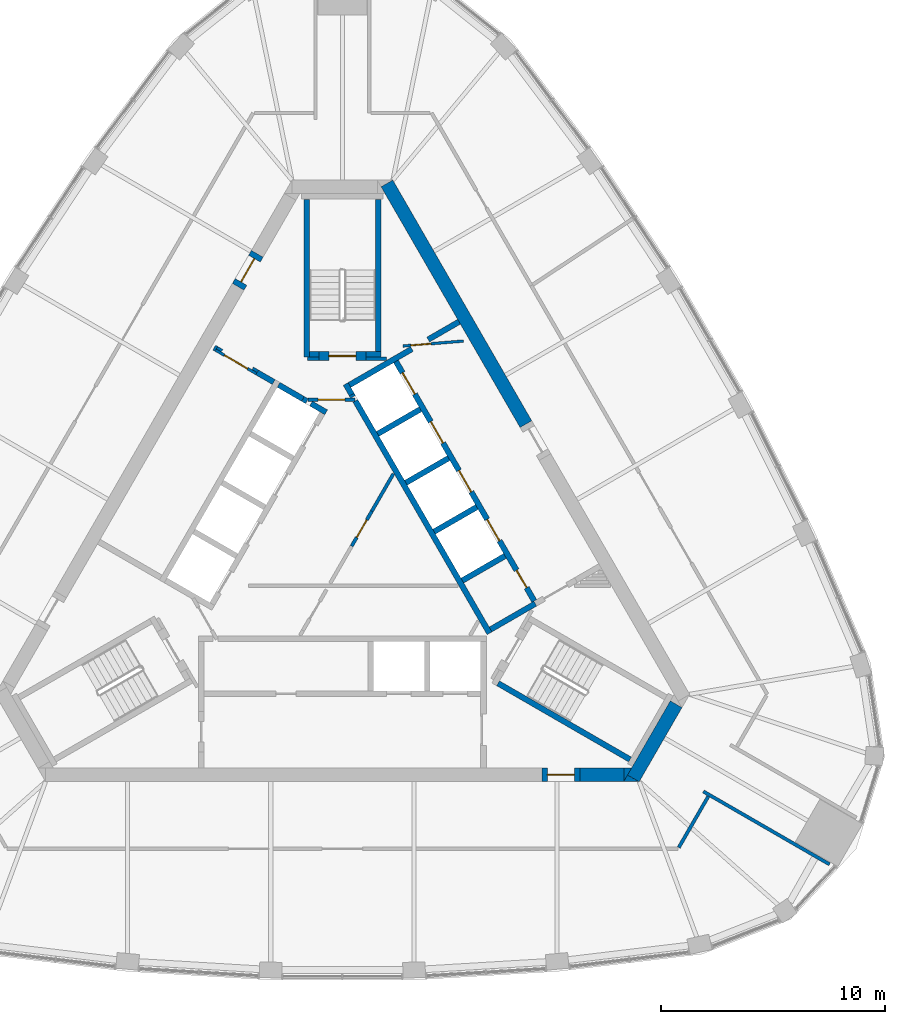
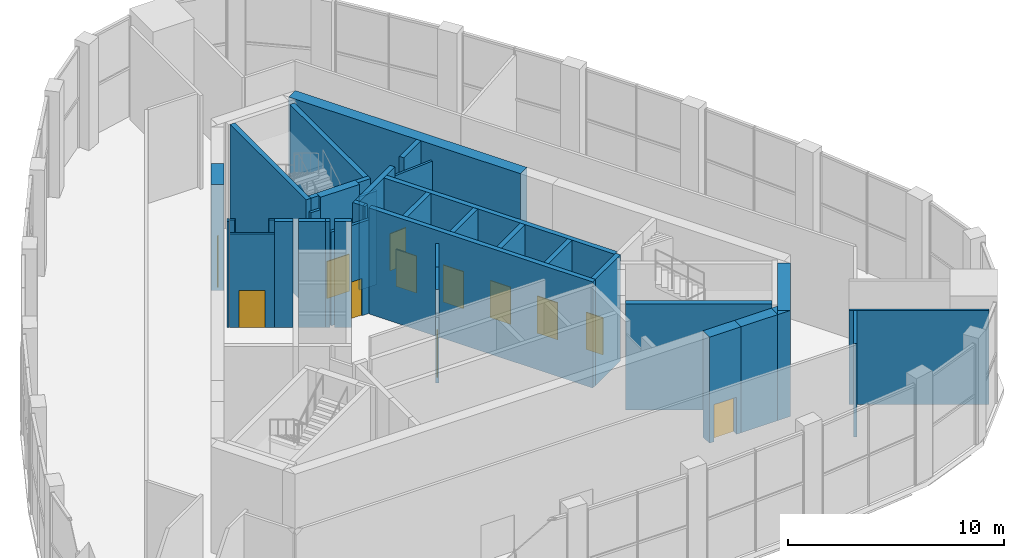
# One storey, part 11 of 15: 40 walls, 12 doors, 12 openings.
"""IFC4 building model written with IfcOpenShell, lengths in metres."""

from ifc_helpers import new_model, si_unit, direction, frame, frame_2d, origin, place, context, subcontext, project, spatial, polyline, rectangle, outline, extrude, material, layer, layer_set, type_object, element, fill, save


model = new_model("IFC4")

# Units and contexts
model_context = context("Model", 3, precision=1e-05, world=origin(), true_north=direction((0.0, 1.0)))
body_context = subcontext(model_context, "Body", "Model", "MODEL_VIEW")
ifc_project = project(units=[si_unit("LENGTHUNIT", "METRE"), si_unit("AREAUNIT", "SQUARE_METRE"), si_unit("VOLUMEUNIT", "CUBIC_METRE"), si_unit("PLANEANGLEUNIT", "RADIAN"), si_unit("MASSUNIT", "GRAM", prefix="KILO")], contexts=[model_context])

# Site, building, storey
site_placement = place(None, origin())
site = spatial("IfcSite", under=ifc_project, at=site_placement, CompositionType="ELEMENT")
building_placement = place(site_placement, origin())
building = spatial("IfcBuilding", under=site, at=building_placement, Name="Mestral Congress Tower", CompositionType="ELEMENT")
storey_placement = place(building_placement, frame((0.0, 0.0, 321.60009765625)))
storey = spatial("IfcBuildingStorey", under=building, at=storey_placement, Name="L75", CompositionType="ELEMENT", Elevation=321.60009765625)

# Walls
ifc_material_1 = material(Name="Fire-rated board partition")
ifc_layer_1 = layer(ifc_material_1, 0.14990234375)
ifc_layer_set_1 = layer_set([ifc_layer_1], Name="Fire-rated board partition")
wall_type_1 = type_object("IfcWallType", Name="Core partition 150", PredefinedType="PARTITIONING", material=ifc_layer_set_1)
wall_1_placement = place(storey_placement, frame((1.050048828125, 8.62548828125, 0.0), z_axis=(0.0, 0.0, 1.0), x_axis=(1.0, 0.0, 0.0)))
element("IfcWall", 1, at=wall_1_placement, inside=storey, type_object=wall_type_1, Name="L75 core wall", PredefinedType="PARTITIONING", context=body_context, shape_type="SweptSolid", body=[
    extrude(rectangle(XDim=0.9287109375, YDim=0.14990234375, at=frame_2d((0.46435546875, 0.0))), origin(), (0.0, 0.0, 1.0), 5.2998046875),
])
wall_2_placement = place(storey_placement, frame((-1.56396484375, 8.62548828125, 0.0), z_axis=(0.0, 0.0, 1.0), x_axis=(1.0, 0.0, 0.0)))
element("IfcWall", 2, at=wall_2_placement, inside=storey, type_object=wall_type_1, Name="L75 core wall", PredefinedType="PARTITIONING", context=body_context, shape_type="SweptSolid", body=[
    extrude(rectangle(XDim=0.513916015625, YDim=0.14990234375, at=frame_2d((0.2568359375, 0.0))), origin(), (0.0, 0.0, 1.0), 5.2998046875),
])
wall_3_placement = place(storey_placement, frame((1.311767578125, 1.822021484375, 0.0), z_axis=(0.0, 0.0, 1.0), x_axis=(0.500003549559, 0.866023354436, 0.0)))
element("IfcWall", 3, at=wall_3_placement, inside=storey, type_object=wall_type_1, Name="L75 core wall", PredefinedType="PARTITIONING", context=body_context, shape_type="SweptSolid", body=[
    extrude(rectangle(XDim=1.9296875, YDim=0.14990234375, at=frame_2d((0.96484375, 0.0))), origin(), (0.0, 0.0, 1.0), 5.2998046875),
])

# Wall, opening, door
wall_4_placement = place(storey_placement, frame((-1.534423828125, 6.800048828125, 0.0), z_axis=(0.0, 0.0, 1.0), x_axis=(1.0, 0.0, 0.0)))
wall_4 = element("IfcWall", 4, at=wall_4_placement, inside=storey, type_object=wall_type_1, Name="L75 door wall", PredefinedType="PARTITIONING", context=body_context, shape_type="SweptSolid", body=[
    extrude(rectangle(XDim=2.099853515625, YDim=0.14990234375, at=frame_2d((1.0498046875, 0.0))), origin(), (0.0, 0.0, 1.0), 5.2998046875),
])
opening_1_placement = place(wall_4_placement, frame((0.449951171875, 0.0, 0.0)))
opening_1 = element("IfcOpeningElement", 5, at=opening_1_placement, cuts=wall_4, Name="Opening CD2-FF", PredefinedType="OPENING", context=body_context, shape_type="SweptSolid", body=[
    extrude(rectangle(XDim=1.199951171875, YDim=2.10009765625, at=frame_2d((0.60009765625, 1.050048828125))), frame((0.0, 0.0849609375, 0.0), z_axis=(0.0, -1.0, 0.0), x_axis=(1.0, 0.0, 0.0)), (0.0, 0.0, 1.0), 0.169921875),
])
ifc_material_2 = material(Name="Fire-rated steel door set", Category="steel")
door_type_1 = type_object("IfcDoorType", Name="Core door CD 1200x2100", OperationType="SINGLE_SWING_LEFT", PredefinedType="DOOR", material=ifc_material_2)
door_1_placement = place(opening_1_placement, origin())
door_1 = element("IfcDoor", 6, at=door_1_placement, inside=storey, type_object=door_type_1, Name="Door CD2-FF", OperationType="SINGLE_SWING_LEFT", OverallHeight=2.10009765625, OverallWidth=1.199951171875, PredefinedType="DOOR", context=body_context, shape_type="SweptSolid", body=[
    extrude(rectangle(XDim=1.199951171875, YDim=2.10009765625, at=frame_2d((0.60009765625, 1.050048828125))), frame((0.0, 0.02490234375, 0.0), z_axis=(0.0, -1.0, 0.0), x_axis=(1.0, 0.0, 0.0)), (0.0, 0.0, 1.0), 0.050048828125),
])
fill(opening_1, door_1)

wall_5_placement = place(storey_placement, frame((0.41162109375, 0.26318359375, 0.0), z_axis=(0.0, 0.0, 1.0), x_axis=(0.500062916607, 0.865989075817, 0.0)))
wall_5 = element("IfcWall", 7, at=wall_5_placement, inside=storey, type_object=wall_type_1, Name="L75 door wall", PredefinedType="PARTITIONING", context=body_context, shape_type="SweptSolid", body=[
    extrude(rectangle(XDim=1.800048828125, YDim=0.14990234375, at=frame_2d((0.89990234375, 0.0))), origin(), (0.0, 0.0, 1.0), 5.2998046875),
])
opening_2_placement = place(wall_5_placement, frame((0.449951171875, 0.0, 0.0)))
opening_2 = element("IfcOpeningElement", 8, at=opening_2_placement, cuts=wall_5, Name="Opening SD-HUB1", PredefinedType="OPENING", context=body_context, shape_type="SweptSolid", body=[
    extrude(rectangle(XDim=0.89990234375, YDim=2.10009765625, at=frame_2d((0.449951171875, 1.050048828125))), frame((0.0, 0.0849609375, 0.0), z_axis=(0.0, -1.0, 0.0), x_axis=(1.0, 0.0, 0.0)), (0.0, 0.0, 1.0), 0.169921875),
])
door_type_2 = type_object("IfcDoorType", Name="Core door SR 900x2100", OperationType="SINGLE_SWING_LEFT", PredefinedType="DOOR", material=ifc_material_2)
door_2_placement = place(opening_2_placement, origin())
door_2 = element("IfcDoor", 9, at=door_2_placement, inside=storey, type_object=door_type_2, Name="Door SD-HUB1", OperationType="SINGLE_SWING_LEFT", OverallHeight=2.10009765625, OverallWidth=0.89990234375, PredefinedType="DOOR", context=body_context, shape_type="SweptSolid", body=[
    extrude(rectangle(XDim=0.89990234375, YDim=2.10009765625, at=frame_2d((0.449951171875, 1.050048828125))), frame((0.0, 0.02490234375, 0.0), z_axis=(0.0, -1.0, 0.0), x_axis=(1.0, 0.0, 0.0)), (0.0, 0.0, 1.0), 0.050048828125),
])
fill(opening_2, door_2)

ifc_layer_2 = layer(ifc_material_1, 0.1201171875)
ifc_layer_set_2 = layer_set([ifc_layer_2], Name="Fire-rated board partition")
wall_type_2 = type_object("IfcWallType", Name="Core partition 150 door-wall 120", PredefinedType="PARTITIONING", material=ifc_layer_set_2)
wall_6_placement = place(storey_placement, frame((5.3984375, 9.418701171875, 0.0), z_axis=(0.0, 0.0, 1.0), x_axis=(-0.996653416376, -0.081743303248, 0.0)))
wall_6 = element("IfcWall", 10, at=wall_6_placement, inside=storey, type_object=wall_type_2, Name="L75 door wall", PredefinedType="PARTITIONING", context=body_context, shape_type="SweptSolid", body=[
    extrude(rectangle(XDim=2.699951171875, YDim=0.119873046875, at=frame_2d((1.35009765625, 0.0))), origin(), (0.0, 0.0, 1.0), 5.2998046875),
])
opening_3_placement = place(wall_6_placement, frame((1.449951171875, 0.0, 0.0)))
opening_3 = element("IfcOpeningElement", 11, at=opening_3_placement, cuts=wall_6, Name="Opening TD2", PredefinedType="OPENING", context=body_context, shape_type="SweptSolid", body=[
    extrude(rectangle(XDim=0.89990234375, YDim=2.10009765625, at=frame_2d((0.449951171875, 1.050048828125))), frame((0.0, 0.06982421875, 0.0), z_axis=(0.0, -1.0, 0.0), x_axis=(1.0, 0.0, 0.0)), (0.0, 0.0, 1.0), 0.139892578125),
])
door_3_placement = place(opening_3_placement, origin())
door_3 = element("IfcDoor", 12, at=door_3_placement, inside=storey, type_object=door_type_2, Name="Door TD2", OperationType="SINGLE_SWING_LEFT", OverallHeight=2.10009765625, OverallWidth=0.89990234375, PredefinedType="DOOR", context=body_context, shape_type="SweptSolid", body=[
    extrude(rectangle(XDim=0.89990234375, YDim=2.10009765625, at=frame_2d((0.449951171875, 1.050048828125))), frame((0.0, 0.02490234375, 0.0), z_axis=(0.0, -1.0, 0.0), x_axis=(1.0, 0.0, 0.0)), (0.0, 0.0, 1.0), 0.050048828125),
])
fill(opening_3, door_3)

wall_7_placement = place(storey_placement, frame((-5.65869140625, 9.01171875, 0.0), z_axis=(0.0, 0.0, 1.0), x_axis=(0.866009402589, -0.500027713859, 0.0)))
wall_7 = element("IfcWall", 13, at=wall_7_placement, inside=storey, type_object=wall_type_2, Name="L75 door wall", PredefinedType="PARTITIONING", context=body_context, shape_type="SweptSolid", body=[
    extrude(rectangle(XDim=2.10009765625, YDim=0.1201171875, at=frame_2d((1.050048828125, 0.0))), origin(), (0.0, 0.0, 1.0), 5.2998046875),
])
opening_4_placement = place(wall_7_placement, frame((0.449951171875, 0.0, 0.0)))
opening_4 = element("IfcOpeningElement", 14, at=opening_4_placement, cuts=wall_7, Name="Opening LB2-WL2", PredefinedType="OPENING", context=body_context, shape_type="SweptSolid", body=[
    extrude(rectangle(XDim=1.199951171875, YDim=2.10009765625, at=frame_2d((0.60009765625, 1.050048828125))), frame((0.0, 0.070068359375, 0.0), z_axis=(0.0, -1.0, 0.0), x_axis=(1.0, 0.0, 0.0)), (0.0, 0.0, 1.0), 0.14013671875),
])
door_type_3 = type_object("IfcDoorType", Name="Core door LB 1200x2100", OperationType="SINGLE_SWING_LEFT", PredefinedType="DOOR", material=ifc_material_2)
door_4_placement = place(opening_4_placement, origin())
door_4 = element("IfcDoor", 15, at=door_4_placement, inside=storey, type_object=door_type_3, Name="Door LB2-WL2", OperationType="SINGLE_SWING_LEFT", OverallHeight=2.10009765625, OverallWidth=1.199951171875, PredefinedType="DOOR", context=body_context, shape_type="SweptSolid", body=[
    extrude(rectangle(XDim=1.199951171875, YDim=2.10009765625, at=frame_2d((0.60009765625, 1.050048828125))), frame((0.0, 0.02490234375, 0.0), z_axis=(0.0, -1.0, 0.0), x_axis=(1.0, 0.0, 0.0)), (0.0, 0.0, 1.0), 0.050048828125),
])
fill(opening_4, door_4)

# Walls
ifc_material_3 = material(Name="Concrete C60/75", Category="concrete")
ifc_layer_3 = layer(ifc_material_3, 0.60009765625)
ifc_layer_set_3 = layer_set([ifc_layer_3], Name="Concrete C60/75")
wall_type_3 = type_object("IfcWallType", Name="Core wall RC 600", PredefinedType="SOLIDWALL", material=ifc_layer_set_3)
wall_8_placement = place(storey_placement, frame((12.9873046875, -10.105712890625, 0.0), z_axis=(0.0, 0.0, 1.0), x_axis=(0.499950938802, 0.866053727428, 0.0)))
element("IfcWall", 16, at=wall_8_placement, inside=storey, type_object=wall_type_3, Name="L75 core wall", PredefinedType="SOLIDWALL", context=body_context, shape_type="SweptSolid", body=[
    extrude(rectangle(XDim=3.8232421875, YDim=0.60009765625, at=frame_2d((1.91162109375, 0.0))), origin(), (0.0, 0.0, 1.0), 6.0),
])
placement = place(storey_placement, origin())
element("IfcWall", 17, at=placement, inside=storey, type_object=wall_type_3, Name="L75 core wall", PredefinedType="SOLIDWALL", context=body_context, shape_type="SweptSolid", body=[
    extrude(outline(polyline([(12.726318359375, -9.957275390625), (13.2333984375, -10.25), (12.557373046875, -10.25), (12.726318359375, -9.957275390625)])), origin(), (0.0, 0.0, 1.0), 6.0),
])
wall_10_placement = place(storey_placement, frame((10.6044921875, -9.949951171875, 0.0), z_axis=(0.0, 0.0, 1.0), x_axis=(1.0, 0.0, 0.0)))
element("IfcWall", 18, at=wall_10_placement, inside=storey, type_object=wall_type_3, Name="L75 core wall", PredefinedType="SOLIDWALL", context=body_context, shape_type="SweptSolid", body=[
    extrude(rectangle(XDim=1.959228515625, YDim=0.60009765625, at=frame_2d((0.9794921875, 0.0))), origin(), (0.0, 0.0, 1.0), 6.0),
])
element("IfcWall", 19, at=placement, inside=storey, type_object=wall_type_3, Name="L75 core wall", PredefinedType="SOLIDWALL", context=body_context, shape_type="SweptSolid", body=[
    extrude(outline(polyline([(12.90380859375, -9.64990234375), (12.56591796875, -10.235595703125), (12.56591796875, -9.64990234375), (12.90380859375, -9.64990234375)])), origin(), (0.0, 0.0, 1.0), 6.0),
])
wall_12_placement = place(storey_placement, frame((1.98876953125, 16.45556640625, 0.0), z_axis=(0.0, 0.0, 1.0), x_axis=(0.49999102663, -0.8660305845, 0.0)))
element("IfcWall", 20, at=wall_12_placement, inside=storey, type_object=wall_type_3, Name="L75 core wall", PredefinedType="SOLIDWALL", context=body_context, shape_type="SweptSolid", body=[
    extrude(rectangle(XDim=12.406494140625, YDim=0.60009765625, at=frame_2d((6.203125, 0.0))), origin(), (0.0, 0.0, 1.0), 6.0),
])

# Wall, opening, door
wall_13_placement = place(storey_placement, frame((10.6044921875, -9.949951171875, 0.0), z_axis=(0.0, 0.0, 1.0), x_axis=(-1.0, 0.0, 0.0)))
wall_13 = element("IfcWall", 21, at=wall_13_placement, inside=storey, type_object=wall_type_3, Name="L75 door wall", PredefinedType="SOLIDWALL", context=body_context, shape_type="SweptSolid", body=[
    extrude(rectangle(XDim=1.699951171875, YDim=0.60009765625, at=frame_2d((0.85009765625, 0.0))), origin(), (0.0, 0.0, 1.0), 6.0),
])
opening_5_placement = place(wall_13_placement, frame((0.25, 0.0, 0.0)))
opening_5 = element("IfcOpeningElement", 22, at=opening_5_placement, cuts=wall_13, Name="Opening XD1", PredefinedType="OPENING", context=body_context, shape_type="SweptSolid", body=[
    extrude(rectangle(XDim=1.199951171875, YDim=2.10009765625, at=frame_2d((0.60009765625, 1.050048828125))), frame((0.0, 0.31005859375, 0.0), z_axis=(0.0, -1.0, 0.0), x_axis=(1.0, 0.0, 0.0)), (0.0, 0.0, 1.0), 0.6201171875),
])
door_type_4 = type_object("IfcDoorType", Name="Core door XD 1200x2100", OperationType="SINGLE_SWING_LEFT", PredefinedType="DOOR", material=ifc_material_2)
door_5_placement = place(opening_5_placement, origin())
door_5 = element("IfcDoor", 23, at=door_5_placement, inside=storey, type_object=door_type_4, Name="Door XD1", OperationType="SINGLE_SWING_LEFT", OverallHeight=2.10009765625, OverallWidth=1.199951171875, PredefinedType="DOOR", context=body_context, shape_type="SweptSolid", body=[
    extrude(rectangle(XDim=1.199951171875, YDim=2.10009765625, at=frame_2d((0.60009765625, 1.050048828125))), frame((0.0, 0.02490234375, 0.0), z_axis=(0.0, -1.0, 0.0), x_axis=(1.0, 0.0, 0.0)), (0.0, 0.0, 1.0), 0.050048828125),
])
fill(opening_5, door_5)

wall_14_placement = place(storey_placement, frame((-4.65234375, 11.842041015625, 0.0), z_axis=(0.0, 0.0, 1.0), x_axis=(0.500062241894, 0.865989465428, 0.0)))
wall_14 = element("IfcWall", 24, at=wall_14_placement, inside=storey, type_object=wall_type_3, Name="L75 door wall", PredefinedType="SOLIDWALL", context=body_context, shape_type="SweptSolid", body=[
    extrude(rectangle(XDim=1.699951171875, YDim=0.60009765625, at=frame_2d((0.85009765625, 0.0))), origin(), (0.0, 0.0, 1.0), 6.0),
])
opening_6_placement = place(wall_14_placement, frame((0.25, 0.0, 0.0)))
opening_6 = element("IfcOpeningElement", 25, at=opening_6_placement, cuts=wall_14, Name="Opening XD2", PredefinedType="OPENING", context=body_context, shape_type="SweptSolid", body=[
    extrude(rectangle(XDim=1.199951171875, YDim=2.10009765625, at=frame_2d((0.60009765625, 1.050048828125))), frame((0.0, 0.31005859375, 0.0), z_axis=(0.0, -1.0, 0.0), x_axis=(1.0, 0.0, 0.0)), (0.0, 0.0, 1.0), 0.6201171875),
])
door_6_placement = place(opening_6_placement, origin())
door_6 = element("IfcDoor", 26, at=door_6_placement, inside=storey, type_object=door_type_4, Name="Door XD2", OperationType="SINGLE_SWING_LEFT", OverallHeight=2.10009765625, OverallWidth=1.199951171875, PredefinedType="DOOR", context=body_context, shape_type="SweptSolid", body=[
    extrude(rectangle(XDim=1.199951171875, YDim=2.10009765625, at=frame_2d((0.60009765625, 1.050048828125))), frame((0.0, 0.02490234375, 0.0), z_axis=(0.0, -1.0, 0.0), x_axis=(1.0, 0.0, 0.0)), (0.0, 0.0, 1.0), 0.050048828125),
])
fill(opening_6, door_6)

# Walls
ifc_layer_4 = layer(ifc_material_3, 0.25)
ifc_layer_set_4 = layer_set([ifc_layer_4], Name="Concrete C60/75")
wall_type_4 = type_object("IfcWallType", Name="Shaft wall RC 250", PredefinedType="SOLIDWALL", material=ifc_layer_set_4)
wall_15_placement = place(storey_placement, frame((0.473388671875, 6.93017578125, 0.0), z_axis=(0.0, 0.0, 1.0), x_axis=(-0.49972245349, 0.866185586049, 0.0)))
element("IfcWall", 27, at=wall_15_placement, inside=storey, type_object=wall_type_4, Name="L75 core wall", PredefinedType="SOLIDWALL", context=body_context, shape_type="SweptSolid", body=[
    extrude(rectangle(XDim=0.10986328125, YDim=0.25, at=frame_2d((0.054931640625, 0.0))), origin(), (0.0, 0.0, 1.0), 6.0),
])
wall_16_placement = place(storey_placement, frame((6.568359375, -3.626708984375, 0.0), z_axis=(0.0, 0.0, 1.0), x_axis=(-0.499999455981, 0.866025717874, 0.0)))
element("IfcWall", 28, at=wall_16_placement, inside=storey, type_object=wall_type_4, Name="L75 core wall", PredefinedType="SOLIDWALL", context=body_context, shape_type="SweptSolid", body=[
    extrude(rectangle(XDim=11.97802734375, YDim=0.25, at=frame_2d((5.989013671875, 0.0))), origin(), (0.0, 0.0, 1.0), 6.0),
])
wall_17_placement = place(storey_placement, frame((0.41748046875, 7.027099609375, 0.0), z_axis=(0.0, 0.0, 1.0), x_axis=(-0.500210807569, 0.865903659763, 0.0)))
element("IfcWall", 29, at=wall_17_placement, inside=storey, type_object=wall_type_4, Name="L75 core wall", PredefinedType="SOLIDWALL", context=body_context, shape_type="SweptSolid", body=[
    extrude(rectangle(XDim=0.548095703125, YDim=0.25, at=frame_2d((0.27392578125, 0.0))), origin(), (0.0, 0.0, 1.0), 6.0),
])
wall_18_placement = place(storey_placement, frame((3.10009765625, 9.064453125, 0.0), z_axis=(0.0, 0.0, 1.0), x_axis=(-0.866030133475, -0.499991807846, 0.0)))
element("IfcWall", 30, at=wall_18_placement, inside=storey, type_object=wall_type_4, Name="L75 core wall", PredefinedType="SOLIDWALL", context=body_context, shape_type="SweptSolid", body=[
    extrude(rectangle(XDim=3.216796875, YDim=0.25, at=frame_2d((1.6083984375, 0.0))), origin(), (0.0, 0.0, 1.0), 6.0),
])
wall_19_placement = place(storey_placement, frame((1.57421875, 5.273681640625, 0.0), z_axis=(0.0, 0.0, 1.0), x_axis=(0.866028486751, 0.499994660107, 0.0)))
element("IfcWall", 31, at=wall_19_placement, inside=storey, type_object=wall_type_4, Name="L75 core wall", PredefinedType="SOLIDWALL", context=body_context, shape_type="SweptSolid", body=[
    extrude(rectangle(XDim=2.19970703125, YDim=0.25, at=frame_2d((1.099853515625, 0.0))), origin(), (0.0, 0.0, 1.0), 6.0),
])
for number, where, z_axis, x_axis, name in (
    (32, (2.833984375, 3.091064453125, 0.0), (0.0, 0.0, 1.0), (0.866008176907, 0.50002983664, 0.0), "L75 core wall"),
    (33, (4.093994140625, 0.90869140625, 0.0), (0.0, 0.0, 1.0), (0.866008176907, 0.50002983664, 0.0), "L75 core wall"),
    (34, (5.35400390625, -1.273681640625, 0.0), (0.0, 0.0, 1.0), (0.866008176907, 0.50002983664, 0.0), "L75 core wall"),
):
    element("IfcWall", number, at=place(storey_placement, frame(where, z_axis=z_axis, x_axis=x_axis)), inside=storey, type_object=wall_type_4, Name=name, PredefinedType="SOLIDWALL", context=body_context, shape_type="SweptSolid", body=[
        extrude(rectangle(XDim=2.199951171875, YDim=0.25, at=frame_2d((1.10009765625, 0.0))), origin(), (0.0, 0.0, 1.0), 6.0),
    ])
wall_20_placement = place(storey_placement, frame((6.614013671875, -3.4560546875, 0.0), z_axis=(0.0, 0.0, 1.0), x_axis=(0.866025089694, 0.500000544019, 0.0)))
element("IfcWall", 35, at=wall_20_placement, inside=storey, type_object=wall_type_4, Name="L75 core wall", PredefinedType="SOLIDWALL", context=body_context, shape_type="SweptSolid", body=[
    extrude(rectangle(XDim=2.30517578125, YDim=0.25, at=frame_2d((1.152587890625, 0.0))), origin(), (0.0, 0.0, 1.0), 6.0),
])
wall_21_placement = place(storey_placement, frame((3.82958984375, 9.485595703125, 0.0), z_axis=(0.0, 0.0, 1.0), x_axis=(0.865986202621, 0.500067892261, 0.0)))
element("IfcWall", 36, at=wall_21_placement, inside=storey, type_object=wall_type_4, Name="L75 core wall", PredefinedType="SOLIDWALL", context=body_context, shape_type="SweptSolid", body=[
    extrude(rectangle(XDim=1.590576171875, YDim=0.25, at=frame_2d((0.79541015625, 0.0))), origin(), (0.0, 0.0, 1.0), 6.0),
])
wall_22_placement = place(storey_placement, frame((-1.75830078125, 6.834716796875, 0.0), z_axis=(0.0, 0.0, 1.0), x_axis=(0.865982457891, -0.500074377092, 0.0)))
element("IfcWall", 37, at=wall_22_placement, inside=storey, type_object=wall_type_4, Name="L75 core wall", PredefinedType="SOLIDWALL", context=body_context, shape_type="SweptSolid", body=[
    extrude(rectangle(XDim=0.2001953125, YDim=0.25, at=frame_2d((0.10009765625, 0.0))), origin(), (0.0, 0.0, 1.0), 6.0),
])
wall_23_placement = place(storey_placement, frame((-1.760009765625, 6.835693359375, 0.0), z_axis=(0.0, 0.0, 1.0), x_axis=(-0.865952863304, 0.500125622755, 0.0)))
element("IfcWall", 38, at=wall_23_placement, inside=storey, type_object=wall_type_4, Name="L75 core wall", PredefinedType="SOLIDWALL", context=body_context, shape_type="SweptSolid", body=[
    extrude(rectangle(XDim=1.258056640625, YDim=0.25, at=frame_2d((0.62890625, 0.0))), origin(), (0.0, 0.0, 1.0), 6.0),
])
wall_24_placement = place(storey_placement, frame((-0.7275390625, 6.23974609375, 0.0), z_axis=(0.0, 0.0, 1.0), x_axis=(-0.865955664968, 0.500120771724, 0.0)))
element("IfcWall", 39, at=wall_24_placement, inside=storey, type_object=wall_type_4, Name="L75 core wall", PredefinedType="SOLIDWALL", context=body_context, shape_type="SweptSolid", body=[
    extrude(rectangle(XDim=0.778076171875, YDim=0.25, at=frame_2d((0.38916015625, 0.0))), origin(), (0.0, 0.0, 1.0), 6.0),
])
wall_25_placement = place(storey_placement, frame((-5.724609375, 9.124755859375, 0.0), z_axis=(0.0, 0.0, 1.0), x_axis=(0.866185586049, -0.49972245349, 0.0)))
element("IfcWall", 40, at=wall_25_placement, inside=storey, type_object=wall_type_4, Name="L75 core wall", PredefinedType="SOLIDWALL", context=body_context, shape_type="SweptSolid", body=[
    extrude(rectangle(XDim=0.10986328125, YDim=0.25, at=frame_2d((0.054931640625, 0.0))), origin(), (0.0, 0.0, 1.0), 6.0),
])
wall_26_placement = place(storey_placement, frame((-3.06591796875, 7.58984375, 0.0), z_axis=(0.0, 0.0, 1.0), x_axis=(-0.866081358704, 0.49990307071, 0.0)))
element("IfcWall", 41, at=wall_26_placement, inside=storey, type_object=wall_type_4, Name="L75 core wall", PredefinedType="SOLIDWALL", context=body_context, shape_type="SweptSolid", body=[
    extrude(rectangle(XDim=0.858154296875, YDim=0.25, at=frame_2d((0.42919921875, 0.0))), origin(), (0.0, 0.0, 1.0), 6.0),
])
element("IfcWall", 42, at=placement, inside=storey, type_object=wall_type_4, Name="L75 core wall", PredefinedType="SOLIDWALL", context=body_context, shape_type="SweptSolid", body=[
    extrude(outline(polyline([(-3.748291015625, 8.1279296875), (-3.813232421875, 8.015380859375), (-4.026611328125, 8.138671875), (-4.0166015625, 8.156005859375), (-4.007568359375, 8.17333984375), (-4.000244140625, 8.191650390625), (-3.994873046875, 8.21044921875), (-3.991455078125, 8.229736328125), (-3.98974609375, 8.24951171875), (-3.989990234375, 8.267578125), (-3.748291015625, 8.1279296875)])), origin(), (0.0, 0.0, 1.0), 6.0),
])
element("IfcWall", 43, at=placement, inside=storey, type_object=wall_type_4, Name="L75 core wall", PredefinedType="SOLIDWALL", context=body_context, shape_type="SweptSolid", body=[
    extrude(outline(polyline([(-5.688720703125, 8.959716796875), (-5.690185546875, 8.960693359375), (-5.565185546875, 9.177001953125), (-5.318603515625, 9.03466796875), (-5.334716796875, 9.02587890625), (-5.3505859375, 9.0146484375), (-5.36572265625, 9.001953125), (-5.37939453125, 8.98779296875), (-5.3916015625, 8.972412109375), (-5.402099609375, 8.955810546875), (-5.412109375, 8.938720703125), (-5.628662109375, 9.063720703125), (-5.628662109375, 9.063720703125), (-5.688720703125, 8.959716796875)])), origin(), (0.0, 0.0, 1.0), 6.0),
])

# Wall, openings, doors
wall_29_placement = place(storey_placement, frame((8.565185546875, -2.185302734375, 0.0), z_axis=(0.0, 0.0, 1.0), x_axis=(-0.499997954832, 0.866026584559, 0.0)))
wall_29 = element("IfcWall", 44, at=wall_29_placement, inside=storey, type_object=wall_type_4, Name="L75 door wall", PredefinedType="SOLIDWALL", context=body_context, shape_type="SweptSolid", body=[
    extrude(rectangle(XDim=12.35009765625, YDim=0.25, at=frame_2d((6.175048828125, 0.0))), origin(), (0.0, 0.0, 1.0), 6.0),
])
opening_7_placement = place(wall_29_placement, frame((0.68505859375, 0.0, 0.0)))
opening_7 = element("IfcOpeningElement", 45, at=opening_7_placement, cuts=wall_29, Name="Opening SR-NEB1", PredefinedType="OPENING", context=body_context, shape_type="SweptSolid", body=[
    extrude(rectangle(XDim=0.89990234375, YDim=2.10009765625, at=frame_2d((0.449951171875, 1.050048828125))), frame((0.0, 0.135009765625, 0.0), z_axis=(0.0, -1.0, 0.0), x_axis=(1.0, 0.0, 0.0)), (0.0, 0.0, 1.0), 0.27001953125),
])
opening_8_placement = place(wall_29_placement, frame((3.10498046875, 0.0, 0.0)))
opening_8 = element("IfcOpeningElement", 46, at=opening_8_placement, cuts=wall_29, Name="Opening LD-NEB2", PredefinedType="OPENING", context=body_context, shape_type="SweptSolid", body=[
    extrude(rectangle(XDim=1.10009765625, YDim=2.10009765625, at=frame_2d((0.550048828125, 1.050048828125))), frame((0.0, 0.135009765625, 0.0), z_axis=(0.0, -1.0, 0.0), x_axis=(1.0, 0.0, 0.0)), (0.0, 0.0, 1.0), 0.27001953125),
])
opening_9_placement = place(wall_29_placement, frame((5.625, 0.0, 0.0)))
opening_9 = element("IfcOpeningElement", 47, at=opening_9_placement, cuts=wall_29, Name="Opening LD-NEB3", PredefinedType="OPENING", context=body_context, shape_type="SweptSolid", body=[
    extrude(rectangle(XDim=1.10009765625, YDim=2.10009765625, at=frame_2d((0.550048828125, 1.050048828125))), frame((0.0, 0.135009765625, 0.0), z_axis=(0.0, -1.0, 0.0), x_axis=(1.0, 0.0, 0.0)), (0.0, 0.0, 1.0), 0.27001953125),
])
opening_10_placement = place(wall_29_placement, frame((8.14501953125, 0.0, 0.0)))
opening_10 = element("IfcOpeningElement", 48, at=opening_10_placement, cuts=wall_29, Name="Opening LD-NEB4", PredefinedType="OPENING", context=body_context, shape_type="SweptSolid", body=[
    extrude(rectangle(XDim=1.10009765625, YDim=2.10009765625, at=frame_2d((0.550048828125, 1.050048828125))), frame((0.0, 0.135009765625, 0.0), z_axis=(0.0, -1.0, 0.0), x_axis=(1.0, 0.0, 0.0)), (0.0, 0.0, 1.0), 0.27001953125),
])
opening_11_placement = place(wall_29_placement, frame((10.6650390625, 0.0, 0.0)))
opening_11 = element("IfcOpeningElement", 49, at=opening_11_placement, cuts=wall_29, Name="Opening LD-NEB5", PredefinedType="OPENING", context=body_context, shape_type="SweptSolid", body=[
    extrude(rectangle(XDim=1.10009765625, YDim=2.10009765625, at=frame_2d((0.550048828125, 1.050048828125))), frame((0.0, 0.135009765625, 0.0), z_axis=(0.0, -1.0, 0.0), x_axis=(1.0, 0.0, 0.0)), (0.0, 0.0, 1.0), 0.27001953125),
])
door_type_5 = type_object("IfcDoorType", Name="Core door LD 1100x2100", OperationType="DOUBLE_DOOR_SLIDING", PredefinedType="DOOR", material=ifc_material_2)
door_7_placement = place(opening_8_placement, origin())
door_7 = element("IfcDoor", 50, at=door_7_placement, inside=storey, type_object=door_type_5, Name="Door LD-NEB2", OperationType="DOUBLE_DOOR_SLIDING", OverallHeight=2.10009765625, OverallWidth=1.10009765625, PredefinedType="DOOR", context=body_context, shape_type="SweptSolid", body=[
    extrude(rectangle(XDim=1.10009765625, YDim=2.10009765625, at=frame_2d((0.550048828125, 1.050048828125))), frame((0.0, 0.02490234375, 0.0), z_axis=(0.0, -1.0, 0.0), x_axis=(1.0, 0.0, 0.0)), (0.0, 0.0, 1.0), 0.050048828125),
])
fill(opening_8, door_7)
door_8_placement = place(opening_9_placement, origin())
door_8 = element("IfcDoor", 51, at=door_8_placement, inside=storey, type_object=door_type_5, Name="Door LD-NEB3", OperationType="DOUBLE_DOOR_SLIDING", OverallHeight=2.10009765625, OverallWidth=1.10009765625, PredefinedType="DOOR", context=body_context, shape_type="SweptSolid", body=[
    extrude(rectangle(XDim=1.10009765625, YDim=2.10009765625, at=frame_2d((0.550048828125, 1.050048828125))), frame((0.0, 0.02490234375, 0.0), z_axis=(0.0, -1.0, 0.0), x_axis=(1.0, 0.0, 0.0)), (0.0, 0.0, 1.0), 0.050048828125),
])
fill(opening_9, door_8)
door_9_placement = place(opening_10_placement, origin())
door_9 = element("IfcDoor", 52, at=door_9_placement, inside=storey, type_object=door_type_5, Name="Door LD-NEB4", OperationType="DOUBLE_DOOR_SLIDING", OverallHeight=2.10009765625, OverallWidth=1.10009765625, PredefinedType="DOOR", context=body_context, shape_type="SweptSolid", body=[
    extrude(rectangle(XDim=1.10009765625, YDim=2.10009765625, at=frame_2d((0.550048828125, 1.050048828125))), frame((0.0, 0.02490234375, 0.0), z_axis=(0.0, -1.0, 0.0), x_axis=(1.0, 0.0, 0.0)), (0.0, 0.0, 1.0), 0.050048828125),
])
fill(opening_10, door_9)
door_10_placement = place(opening_11_placement, origin())
door_10 = element("IfcDoor", 53, at=door_10_placement, inside=storey, type_object=door_type_5, Name="Door LD-NEB5", OperationType="DOUBLE_DOOR_SLIDING", OverallHeight=2.10009765625, OverallWidth=1.10009765625, PredefinedType="DOOR", context=body_context, shape_type="SweptSolid", body=[
    extrude(rectangle(XDim=1.10009765625, YDim=2.10009765625, at=frame_2d((0.550048828125, 1.050048828125))), frame((0.0, 0.02490234375, 0.0), z_axis=(0.0, -1.0, 0.0), x_axis=(1.0, 0.0, 0.0)), (0.0, 0.0, 1.0), 0.050048828125),
])
fill(opening_11, door_10)
door_11_placement = place(opening_7_placement, origin())
door_11 = element("IfcDoor", 54, at=door_11_placement, inside=storey, type_object=door_type_2, Name="Door SR-NEB1", OperationType="SINGLE_SWING_LEFT", OverallHeight=2.10009765625, OverallWidth=0.89990234375, PredefinedType="DOOR", context=body_context, shape_type="SweptSolid", body=[
    extrude(rectangle(XDim=0.89990234375, YDim=2.10009765625, at=frame_2d((0.449951171875, 1.050048828125))), frame((0.0, 0.02490234375, 0.0), z_axis=(0.0, -1.0, 0.0), x_axis=(1.0, 0.0, 0.0)), (0.0, 0.0, 1.0), 0.050048828125),
])
fill(opening_7, door_11)

# Walls
ifc_layer_5 = layer(ifc_material_1, 0.14990234375)
ifc_layer_set_5 = layer_set([ifc_layer_5], Name="Fire-rated board partition")
wall_type_5 = type_object("IfcWallType", Name="Special partition 150 EI 180", PredefinedType="PARTITIONING", material=ifc_layer_set_5)
wall_30_placement = place(storey_placement, frame((21.748046875, -13.94189453125, 0.0), z_axis=(0.0, 0.0, 1.0), x_axis=(-0.866024344433, 0.500001834845, 0.0)))
element("IfcWall", 55, at=wall_30_placement, inside=storey, type_object=wall_type_5, Name="Partition", PredefinedType="PARTITIONING", context=body_context, shape_type="SweptSolid", body=[
    extrude(rectangle(XDim=6.50537109375, YDim=0.14990234375, at=frame_2d((3.252685546875, 0.0))), origin(), (0.0, 0.0, 1.0), 5.2998046875),
])
wall_31_placement = place(storey_placement, frame((16.333984375, -10.908447265625, 0.0), z_axis=(0.0, 0.0, 1.0), x_axis=(-0.49998723852, -0.866032771503, 0.0)))
element("IfcWall", 56, at=wall_31_placement, inside=storey, type_object=wall_type_5, Name="Partition", PredefinedType="PARTITIONING", context=body_context, shape_type="SweptSolid", body=[
    extrude(rectangle(XDim=2.6337890625, YDim=0.14990234375, at=frame_2d((1.31689453125, 0.0))), origin(), (0.0, 0.0, 1.0), 5.2998046875),
])
ifc_layer_6 = layer(ifc_material_3, 0.25)
ifc_layer_set_6 = layer_set([ifc_layer_6], Name="Concrete C60/75")
wall_type_6 = type_object("IfcWallType", Name="Stair wall RC 250", PredefinedType="SOLIDWALL", material=ifc_layer_set_6)
for number, where, z_axis, x_axis, name in (
    (57, (12.83984375, -9.2607421875, 0.0), (0.0, 0.0, 1.0), (-0.866013990052, 0.500019768644, 0.0), "L75 core wall"),
    (58, (1.60009765625, 8.949951171875, 0.0), (0.0, 0.0, 1.0), (0.0, 1.0, 0.0), "L75 core wall"),
):
    element("IfcWall", number, at=place(storey_placement, frame(where, z_axis=z_axis, x_axis=x_axis)), inside=storey, type_object=wall_type_6, Name=name, PredefinedType="SOLIDWALL", context=body_context, shape_type="SweptSolid", body=[
        extrude(rectangle(XDim=6.800048828125, YDim=0.25, at=frame_2d((3.39990234375, 0.0))), origin(), (0.0, 0.0, 1.0), 6.0),
    ])
wall_32_placement = place(storey_placement, frame((1.050048828125, 8.824951171875, 0.0), z_axis=(0.0, 0.0, 1.0), x_axis=(1.0, 0.0, 0.0)))
element("IfcWall", 59, at=wall_32_placement, inside=storey, type_object=wall_type_6, Name="L75 core wall", PredefinedType="SOLIDWALL", context=body_context, shape_type="SweptSolid", body=[
    extrude(rectangle(XDim=0.675048828125, YDim=0.25, at=frame_2d((0.33740234375, 0.0))), origin(), (0.0, 0.0, 1.0), 6.0),
])
wall_33_placement = place(storey_placement, frame((-1.60009765625, 8.699951171875, 0.0), z_axis=(0.0, 0.0, 1.0), x_axis=(0.0, 1.0, 0.0)))
element("IfcWall", 60, at=wall_33_placement, inside=storey, type_object=wall_type_6, Name="L75 core wall", PredefinedType="SOLIDWALL", context=body_context, shape_type="SweptSolid", body=[
    extrude(rectangle(XDim=7.050048828125, YDim=0.25, at=frame_2d((3.52490234375, 0.0))), origin(), (0.0, 0.0, 1.0), 6.0),
])
wall_34_placement = place(storey_placement, frame((-1.47509765625, 8.824951171875, 0.0), z_axis=(0.0, 0.0, 1.0), x_axis=(1.0, 0.0, 0.0)))
element("IfcWall", 61, at=wall_34_placement, inside=storey, type_object=wall_type_6, Name="L75 core wall", PredefinedType="SOLIDWALL", context=body_context, shape_type="SweptSolid", body=[
    extrude(rectangle(XDim=0.425048828125, YDim=0.25, at=frame_2d((0.21240234375, 0.0))), origin(), (0.0, 0.0, 1.0), 6.0),
])

# Wall, opening, door
ifc_layer_7 = layer(ifc_material_3, 0.39990234375)
ifc_layer_set_7 = layer_set([ifc_layer_7], Name="Concrete C60/75")
wall_type_7 = type_object("IfcWallType", Name="Stair wall RC 250 door-wall 400", PredefinedType="SOLIDWALL", material=ifc_layer_set_7)
wall_35_placement = place(storey_placement, frame((1.050048828125, 8.75, 0.0), z_axis=(0.0, 0.0, 1.0), x_axis=(-1.0, 0.0, 0.0)))
wall_35 = element("IfcWall", 62, at=wall_35_placement, inside=storey, type_object=wall_type_7, Name="L75 door wall", PredefinedType="SOLIDWALL", context=body_context, shape_type="SweptSolid", body=[
    extrude(rectangle(XDim=2.10009765625, YDim=0.39990234375, at=frame_2d((1.050048828125, 0.0))), origin(), (0.0, 0.0, 1.0), 6.0),
])
opening_12_placement = place(wall_35_placement, frame((0.449951171875, 0.0, 0.0)))
opening_12 = element("IfcOpeningElement", 63, at=opening_12_placement, cuts=wall_35, Name="Opening ST-D2", PredefinedType="OPENING", context=body_context, shape_type="SweptSolid", body=[
    extrude(rectangle(XDim=1.199951171875, YDim=2.10009765625, at=frame_2d((0.60009765625, 1.050048828125))), frame((0.0, 0.2099609375, 0.0), z_axis=(0.0, -1.0, 0.0), x_axis=(1.0, 0.0, 0.0)), (0.0, 0.0, 1.0), 0.419921875),
])
door_type_6 = type_object("IfcDoorType", Name="Core door ST 1200x2100", OperationType="SINGLE_SWING_LEFT", PredefinedType="DOOR", material=ifc_material_2)
door_12_placement = place(opening_12_placement, origin())
door_12 = element("IfcDoor", 64, at=door_12_placement, inside=storey, type_object=door_type_6, Name="Door ST-D2", OperationType="SINGLE_SWING_LEFT", OverallHeight=2.10009765625, OverallWidth=1.199951171875, PredefinedType="DOOR", context=body_context, shape_type="SweptSolid", body=[
    extrude(rectangle(XDim=1.199951171875, YDim=2.10009765625, at=frame_2d((0.60009765625, 1.050048828125))), frame((0.0, 0.02490234375, 0.0), z_axis=(0.0, -1.0, 0.0), x_axis=(1.0, 0.0, 0.0)), (0.0, 0.0, 1.0), 0.050048828125),
])
fill(opening_12, door_12)

save(model, "model.ifc")
